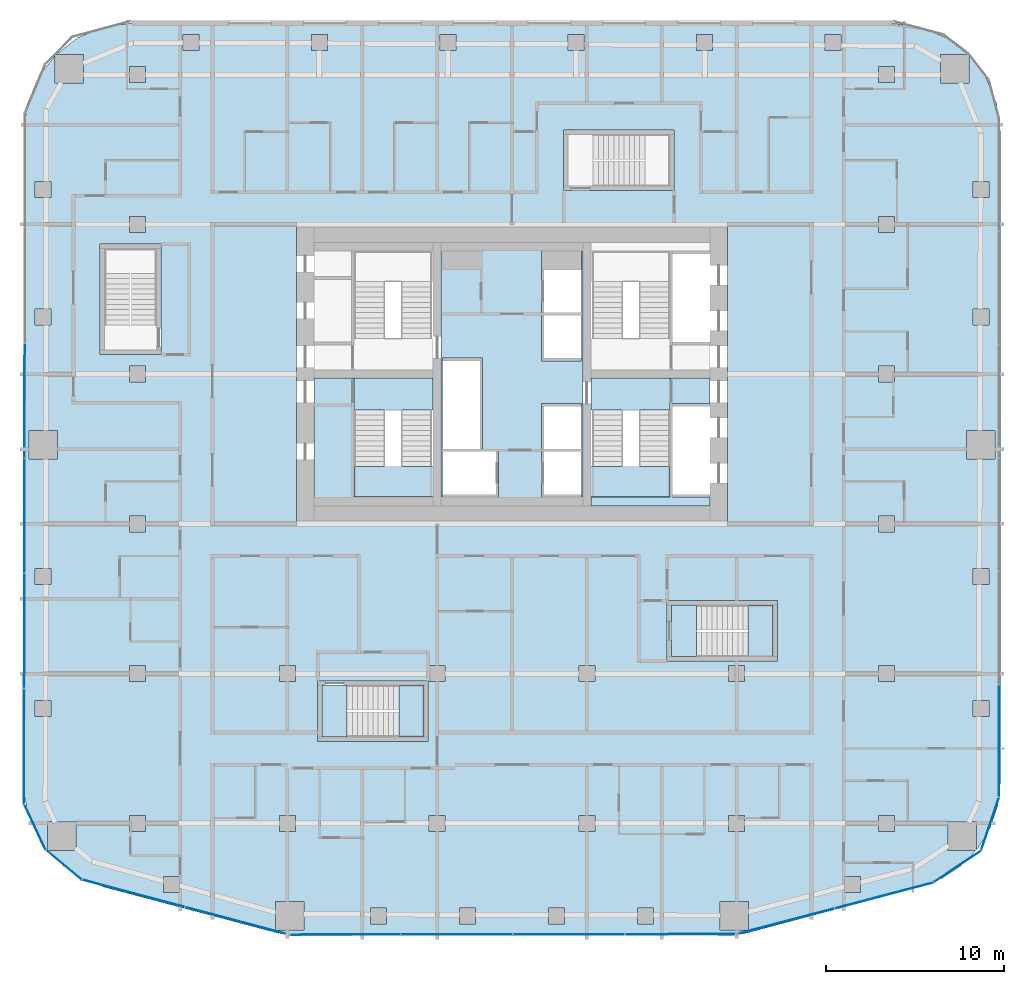
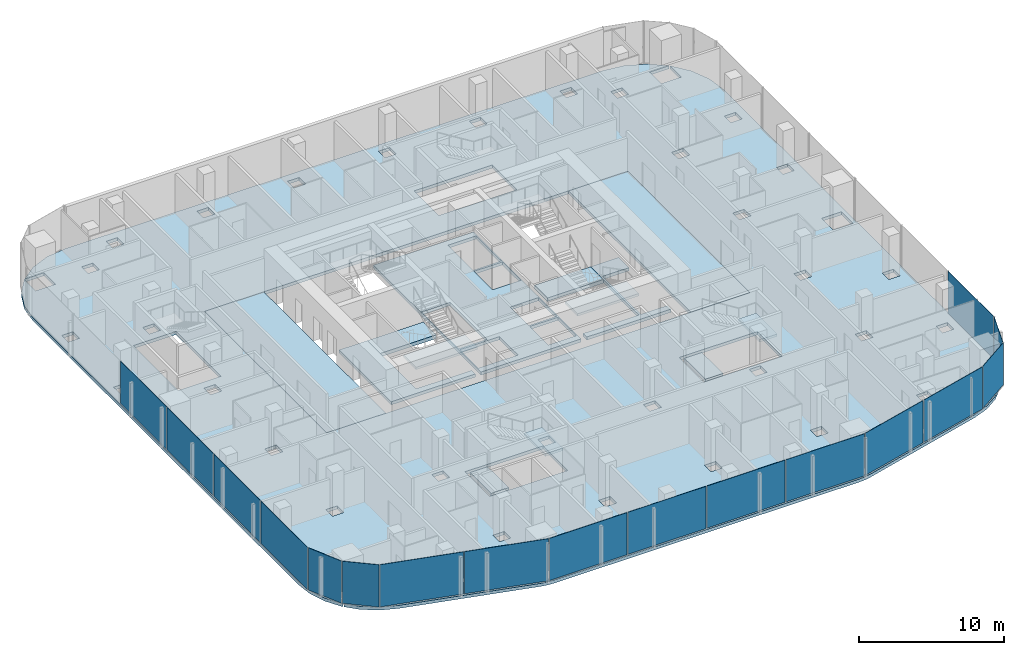
# One storey, part 12 of 23: 17 plates, 14 slabs, 13 elements without a shape of their own.
"""IFC4 building model written with IfcOpenShell, lengths in metres."""

from ifc_helpers import new_model, si_unit, direction, frame, origin, origin_2d, place, context, subcontext, project, spatial, polyline, rectangle, outline, extrude, material, layer, layer_set, type_object, element, aggregate, save


model = new_model("IFC4")

# Units and contexts
model_context = context("Model", 3, precision=1e-05, world=origin(), true_north=direction((0.0, 1.0)))
body_context = subcontext(model_context, "Body", "Model", "MODEL_VIEW")
ifc_project = project(units=[si_unit("LENGTHUNIT", "METRE"), si_unit("AREAUNIT", "SQUARE_METRE"), si_unit("VOLUMEUNIT", "CUBIC_METRE"), si_unit("PLANEANGLEUNIT", "RADIAN"), si_unit("MASSUNIT", "GRAM", prefix="KILO")], contexts=[model_context])

# Site, building, storey
site_placement = place(None, origin())
site = spatial("IfcSite", under=ifc_project, at=site_placement, CompositionType="ELEMENT")
building_placement = place(site_placement, origin())
building = spatial("IfcBuilding", under=site, at=building_placement, Name="Marenta Gate Hotel Tower", CompositionType="ELEMENT")
storey_placement = place(building_placement, frame((0.0, 0.0, 119.300048828125)))
storey = spatial("IfcBuildingStorey", under=building, at=storey_placement, Name="L26", CompositionType="ELEMENT", Elevation=119.300048828125)

# Slabs
ifc_material_1 = material(Name="Concrete C35", Category="concrete")
ifc_layer_1 = layer(ifc_material_1, 0.260009765625)
ifc_layer_set_1 = layer_set([ifc_layer_1], Name="Concrete C35")
slab_type_1 = type_object("IfcSlabType", Name="Concrete floor slab 260", PredefinedType="FLOOR", material=ifc_layer_set_1)
slab_1_placement = place(storey_placement, frame((0.0, 0.0, -0.260009765625)))
element("IfcSlab", 1, at=slab_1_placement, inside=storey, type_object=slab_type_1, Name="L26-SL-1", PredefinedType="FLOOR", context=body_context, shape_type="SweptSolid", body=[
    extrude(outline(polyline([(-25.213623046875, -19.1640625), (-26.011474609375, -18.3330078125), (-24.462890625, -18.3330078125), (-24.462890625, -16.73291015625), (-26.06298828125, -16.73291015625), (-26.06298828125, -18.279296875), (-26.13525390625, -18.2041015625), (-26.826904296875, -17.06689453125), (-27.25537109375, -15.80712890625), (-27.39990234375, -14.48974609375), (-27.39990234375, 22.006591796875), (-27.193115234375, 23.5791015625), (-26.58349609375, 25.050537109375), (-25.635498046875, 26.285888671875), (-25.635498046875, 24.735595703125), (-24.035400390625, 24.735595703125), (-24.035400390625, 26.33544921875), (-25.585693359375, 26.33544921875), (-24.350341796875, 27.283447265625), (-22.87890625, 27.89306640625), (-21.306640625, 28.10009765625), (21.306640625, 28.10009765625), (22.87890625, 27.89306640625), (24.350341796875, 27.283447265625), (25.585693359375, 26.33544921875), (24.035400390625, 26.33544921875), (24.035400390625, 24.735595703125), (25.635498046875, 24.735595703125), (25.635498046875, 26.285888671875), (26.58349609375, 25.050537109375), (27.193115234375, 23.5791015625), (27.39990234375, 22.006591796875), (27.39990234375, -14.48974609375), (27.25537109375, -15.80712890625), (26.826904296875, -17.06689453125), (26.13525390625, -18.2041015625), (26.06298828125, -18.279296875), (26.06298828125, -16.73291015625), (24.462890625, -16.73291015625), (24.462890625, -18.3330078125), (26.011474609375, -18.3330078125), (25.213623046875, -19.1640625), (24.105712890625, -19.9013671875), (22.86962890625, -20.37890625), (13.126708984375, -22.963623046875), (12.608642578125, -23.065673828125), (12.08154296875, -23.10009765625), (-12.08154296875, -23.10009765625), (-12.608642578125, -23.065673828125), (-13.126708984375, -22.963623046875), (-22.86962890625, -20.37890625), (-24.105712890625, -19.9013671875), (-25.213623046875, -19.1640625)]), holes=[polyline([(-16.800048828125, 0.0), (16.800048828125, 0.0), (16.800048828125, 16.800048828125), (-16.800048828125, 16.800048828125), (-16.800048828125, 0.0)]), polyline([(-18.65673828125, -19.7890625), (-19.556884765625, -19.7890625), (-19.556884765625, -20.689208984375), (-18.65673828125, -20.689208984375), (-18.65673828125, -19.7890625)]), polyline([(-20.550048828125, -17.25), (-20.550048828125, -16.35009765625), (-21.449951171875, -16.35009765625), (-21.449951171875, -17.25), (-20.550048828125, -17.25)]), polyline([(-12.14990234375, -16.35009765625), (-13.050048828125, -16.35009765625), (-13.050048828125, -17.25), (-12.14990234375, -17.25), (-12.14990234375, -16.35009765625)]), polyline([(-25.85009765625, -10.802001953125), (-25.85009765625, -9.90185546875), (-26.75, -9.90185546875), (-26.75, -10.802001953125), (-25.85009765625, -10.802001953125)]), polyline([(-20.550048828125, -8.85009765625), (-20.550048828125, -7.949951171875), (-21.449951171875, -7.949951171875), (-21.449951171875, -8.85009765625), (-20.550048828125, -8.85009765625)]), polyline([(-25.85009765625, -2.5009765625), (-26.75, -2.5009765625), (-26.75, -3.40087890625), (-25.85009765625, -3.40087890625), (-25.85009765625, -2.5009765625)]), polyline([(-20.550048828125, -0.449951171875), (-20.550048828125, 0.449951171875), (-21.449951171875, 0.449951171875), (-21.449951171875, -0.449951171875), (-20.550048828125, -0.449951171875)]), polyline([(-25.5, 3.64990234375), (-25.5, 5.25), (-27.10009765625, 5.25), (-27.10009765625, 3.64990234375), (-25.5, 3.64990234375)]), polyline([(-20.550048828125, 8.85009765625), (-21.449951171875, 8.85009765625), (-21.449951171875, 7.949951171875), (-20.550048828125, 7.949951171875), (-20.550048828125, 8.85009765625)]), polyline([(-25.85009765625, 11.1533203125), (-25.85009765625, 12.05322265625), (-26.75, 12.05322265625), (-26.75, 11.1533203125), (-25.85009765625, 11.1533203125)]), polyline([(-20.550048828125, 16.35009765625), (-20.550048828125, 17.25), (-21.449951171875, 17.25), (-21.449951171875, 16.35009765625), (-20.550048828125, 16.35009765625)]), polyline([(-25.85009765625, 19.206298828125), (-26.75, 19.206298828125), (-26.75, 18.306396484375), (-25.85009765625, 18.306396484375), (-25.85009765625, 19.206298828125)]), polyline([(-20.550048828125, 24.75), (-20.550048828125, 25.64990234375), (-21.449951171875, 25.64990234375), (-21.449951171875, 24.75), (-20.550048828125, 24.75)]), polyline([(-17.556884765625, 27.449951171875), (-18.456787109375, 27.449951171875), (-18.456787109375, 26.550048828125), (-17.556884765625, 26.550048828125), (-17.556884765625, 27.449951171875)]), polyline([(-7.030029296875, -22.449951171875), (-7.030029296875, -21.550048828125), (-7.93017578125, -21.550048828125), (-7.93017578125, -22.449951171875), (-7.030029296875, -22.449951171875)]), polyline([(-2.04345703125, -22.449951171875), (-2.04345703125, -21.550048828125), (-2.943359375, -21.550048828125), (-2.943359375, -22.449951171875), (-2.04345703125, -22.449951171875)]), polyline([(2.943359375, -21.550048828125), (2.04345703125, -21.550048828125), (2.04345703125, -22.449951171875), (2.943359375, -22.449951171875), (2.943359375, -21.550048828125)]), polyline([(7.93017578125, -22.449951171875), (7.93017578125, -21.550048828125), (7.030029296875, -21.550048828125), (7.030029296875, -22.449951171875), (7.93017578125, -22.449951171875)]), polyline([(-11.666259765625, -22.77490234375), (-11.666259765625, -21.1748046875), (-13.266357421875, -21.1748046875), (-13.266357421875, -22.77490234375), (-11.666259765625, -22.77490234375)]), polyline([(13.266357421875, -21.1748046875), (11.666259765625, -21.1748046875), (11.666259765625, -22.77490234375), (13.266357421875, -22.77490234375), (13.266357421875, -21.1748046875)]), polyline([(-3.75, -17.25), (-3.75, -16.35009765625), (-4.64990234375, -16.35009765625), (-4.64990234375, -17.25), (-3.75, -17.25)]), polyline([(4.64990234375, -17.25), (4.64990234375, -16.35009765625), (3.75, -16.35009765625), (3.75, -17.25), (4.64990234375, -17.25)]), polyline([(13.050048828125, -16.35009765625), (12.14990234375, -16.35009765625), (12.14990234375, -17.25), (13.050048828125, -17.25), (13.050048828125, -16.35009765625)]), polyline([(-12.14990234375, -8.85009765625), (-12.14990234375, -7.949951171875), (-13.050048828125, -7.949951171875), (-13.050048828125, -8.85009765625), (-12.14990234375, -8.85009765625)]), polyline([(-3.75, -8.85009765625), (-3.75, -7.949951171875), (-4.64990234375, -7.949951171875), (-4.64990234375, -8.85009765625), (-3.75, -8.85009765625)]), polyline([(4.64990234375, -7.949951171875), (3.75, -7.949951171875), (3.75, -8.85009765625), (4.64990234375, -8.85009765625), (4.64990234375, -7.949951171875)]), polyline([(-10.35400390625, 26.550048828125), (-10.35400390625, 27.449951171875), (-11.254150390625, 27.449951171875), (-11.254150390625, 26.550048828125), (-10.35400390625, 26.550048828125)]), polyline([(-3.1513671875, 26.550048828125), (-3.1513671875, 27.449951171875), (-4.051513671875, 27.449951171875), (-4.051513671875, 26.550048828125), (-3.1513671875, 26.550048828125)]), polyline([(4.051513671875, 27.449951171875), (3.1513671875, 27.449951171875), (3.1513671875, 26.550048828125), (4.051513671875, 26.550048828125), (4.051513671875, 27.449951171875)]), polyline([(11.254150390625, 26.550048828125), (11.254150390625, 27.449951171875), (10.35400390625, 27.449951171875), (10.35400390625, 26.550048828125), (11.254150390625, 26.550048828125)]), polyline([(19.556884765625, -20.689208984375), (19.556884765625, -19.7890625), (18.65673828125, -19.7890625), (18.65673828125, -20.689208984375), (19.556884765625, -20.689208984375)]), polyline([(21.449951171875, -17.25), (21.449951171875, -16.35009765625), (20.550048828125, -16.35009765625), (20.550048828125, -17.25), (21.449951171875, -17.25)]), polyline([(26.75, -10.802001953125), (26.75, -9.90185546875), (25.85009765625, -9.90185546875), (25.85009765625, -10.802001953125), (26.75, -10.802001953125)]), polyline([(13.050048828125, -7.949951171875), (12.14990234375, -7.949951171875), (12.14990234375, -8.85009765625), (13.050048828125, -8.85009765625), (13.050048828125, -7.949951171875)]), polyline([(21.449951171875, -8.85009765625), (21.449951171875, -7.949951171875), (20.550048828125, -7.949951171875), (20.550048828125, -8.85009765625), (21.449951171875, -8.85009765625)]), polyline([(26.75, -3.40087890625), (26.75, -2.5009765625), (25.85009765625, -2.5009765625), (25.85009765625, -3.40087890625), (26.75, -3.40087890625)]), polyline([(21.449951171875, 0.449951171875), (20.550048828125, 0.449951171875), (20.550048828125, -0.449951171875), (21.449951171875, -0.449951171875), (21.449951171875, 0.449951171875)]), polyline([(27.10009765625, 3.64990234375), (27.10009765625, 5.25), (25.5, 5.25), (25.5, 3.64990234375), (27.10009765625, 3.64990234375)]), polyline([(21.449951171875, 7.949951171875), (21.449951171875, 8.85009765625), (20.550048828125, 8.85009765625), (20.550048828125, 7.949951171875), (21.449951171875, 7.949951171875)]), polyline([(26.75, 12.05322265625), (25.85009765625, 12.05322265625), (25.85009765625, 11.1533203125), (26.75, 11.1533203125), (26.75, 12.05322265625)]), polyline([(21.449951171875, 16.35009765625), (21.449951171875, 17.25), (20.550048828125, 17.25), (20.550048828125, 16.35009765625), (21.449951171875, 16.35009765625)]), polyline([(26.75, 18.306396484375), (26.75, 19.206298828125), (25.85009765625, 19.206298828125), (25.85009765625, 18.306396484375), (26.75, 18.306396484375)]), polyline([(21.449951171875, 25.64990234375), (20.550048828125, 25.64990234375), (20.550048828125, 24.75), (21.449951171875, 24.75), (21.449951171875, 25.64990234375)]), polyline([(18.456787109375, 26.550048828125), (18.456787109375, 27.449951171875), (17.556884765625, 27.449951171875), (17.556884765625, 26.550048828125), (18.456787109375, 26.550048828125)]), polyline([(-10.89990234375, -12.199951171875), (-4.699951171875, -12.199951171875), (-4.699951171875, -8.800048828125), (-10.89990234375, -8.800048828125), (-10.89990234375, -12.199951171875)]), polyline([(8.699951171875, -7.699951171875), (14.89990234375, -7.699951171875), (14.89990234375, -4.300048828125), (8.699951171875, -4.300048828125), (8.699951171875, -7.699951171875)]), polyline([(-23.10009765625, 9.5), (-19.699951171875, 9.5), (-19.699951171875, 15.699951171875), (-23.10009765625, 15.699951171875), (-23.10009765625, 9.5)]), polyline([(2.89990234375, 18.699951171875), (9.10009765625, 18.699951171875), (9.10009765625, 22.10009765625), (2.89990234375, 22.10009765625), (2.89990234375, 18.699951171875)])]), origin(), (0.0, 0.0, 1.0), 0.260009765625),
])
ifc_material_2 = material(Name="Concrete C40", Category="concrete")
ifc_layer_2 = layer(ifc_material_2, 0.260009765625)
ifc_layer_set_2 = layer_set([ifc_layer_2], Name="Concrete C40")
slab_type_2 = type_object("IfcSlabType", Name="Core floor slab 260", PredefinedType="FLOOR", material=ifc_layer_set_2)
slab_2_placement = place(storey_placement, frame((0.0, 0.0, -0.260009765625)))
element("IfcSlab", 2, at=slab_2_placement, inside=storey, type_object=slab_type_2, Name="L26-CF-1", PredefinedType="FLOOR", context=body_context, shape_type="SweptSolid", body=[
    extrude(outline(polyline([(12.10009765625, 0.0), (12.10009765625, 16.800048828125), (16.800048828125, 16.800048828125), (16.800048828125, 0.0), (12.10009765625, 0.0)])), origin(), (0.0, 0.0, 1.0), 0.260009765625),
])
slab_3_placement = place(storey_placement, frame((0.0, 0.0, -0.260009765625)))
element("IfcSlab", 3, at=slab_3_placement, inside=storey, type_object=slab_type_2, Name="L26-CF-2", PredefinedType="FLOOR", context=body_context, shape_type="SweptSolid", body=[
    extrude(outline(polyline([(8.85009765625, 1.5), (8.85009765625, 6.39990234375), (8.85009765625, 8.10009765625), (8.85009765625, 8.175048828125), (11.10009765625, 8.175048828125), (11.10009765625, 6.75), (9.0, 6.75), (9.0, 6.60009765625), (9.0, 4.199951171875), (9.0, 4.050048828125), (9.0, 1.64990234375), (9.0, 1.5), (11.10009765625, 1.5), (11.10009765625, 1.0), (4.425048828125, 1.0), (4.425048828125, 1.5), (8.85009765625, 1.5)])), origin(), (0.0, 0.0, 1.0), 0.260009765625),
])
slab_4_placement = place(storey_placement, frame((0.0, 0.0, -0.260009765625)))
element("IfcSlab", 4, at=slab_4_placement, inside=storey, type_object=slab_type_2, Name="L26-CF-4", PredefinedType="FLOOR", context=body_context, shape_type="SweptSolid", body=[
    extrude(outline(polyline([(3.97509765625, 15.300048828125), (3.97509765625, 10.39990234375), (3.97509765625, 6.39990234375), (3.97509765625, 1.5), (3.97509765625, 1.0), (-3.97509765625, 1.0), (-3.97509765625, 1.5), (-3.97509765625, 6.39990234375), (-3.97509765625, 10.39990234375), (-3.97509765625, 15.300048828125), (-3.97509765625, 15.800048828125), (3.97509765625, 15.800048828125), (3.97509765625, 15.300048828125)]), holes=[polyline([(1.64990234375, 1.5), (3.89990234375, 1.5), (3.89990234375, 1.64990234375), (3.89990234375, 4.050048828125), (1.800048828125, 4.050048828125), (1.64990234375, 4.050048828125), (1.64990234375, 1.64990234375), (1.64990234375, 1.5)]), polyline([(1.64990234375, 6.60009765625), (1.64990234375, 4.199951171875), (1.800048828125, 4.199951171875), (3.89990234375, 4.199951171875), (3.89990234375, 6.60009765625), (3.89990234375, 6.75), (1.64990234375, 6.75), (1.64990234375, 6.60009765625)]), polyline([(1.64990234375, 9.14990234375), (3.89990234375, 9.14990234375), (3.89990234375, 9.300048828125), (3.89990234375, 11.699951171875), (1.800048828125, 11.699951171875), (1.64990234375, 11.699951171875), (1.64990234375, 9.300048828125), (1.64990234375, 9.14990234375)]), polyline([(1.64990234375, 15.300048828125), (1.64990234375, 14.25), (1.64990234375, 11.85009765625), (1.800048828125, 11.85009765625), (3.89990234375, 11.85009765625), (3.89990234375, 14.25), (3.89990234375, 15.300048828125), (1.64990234375, 15.300048828125)]), polyline([(-3.89990234375, 4.050048828125), (-3.89990234375, 1.64990234375), (-3.89990234375, 1.5), (-0.89990234375, 1.5), (-0.75, 1.5), (-0.75, 4.050048828125), (-0.89990234375, 4.050048828125), (-3.89990234375, 4.050048828125)]), polyline([(-1.800048828125, 4.199951171875), (-1.64990234375, 4.199951171875), (-1.64990234375, 9.14990234375), (-1.64990234375, 9.300048828125), (-3.89990234375, 9.300048828125), (-3.89990234375, 9.14990234375), (-3.89990234375, 6.75), (-3.89990234375, 6.60009765625), (-3.89990234375, 4.199951171875), (-1.800048828125, 4.199951171875)])]), origin(), (0.0, 0.0, 1.0), 0.260009765625),
])
slab_5_placement = place(storey_placement, frame((0.0, 0.0, -0.260009765625)))
element("IfcSlab", 5, at=slab_5_placement, inside=storey, type_object=slab_type_2, Name="L26-CF-5", PredefinedType="FLOOR", context=body_context, shape_type="SweptSolid", body=[
    extrude(outline(polyline([(-8.85009765625, 8.175048828125), (-8.85009765625, 8.10009765625), (-8.85009765625, 6.39990234375), (-8.85009765625, 1.5), (-4.425048828125, 1.5), (-4.425048828125, 1.0), (-11.10009765625, 1.0), (-11.10009765625, 8.175048828125), (-8.85009765625, 8.175048828125)])), origin(), (0.0, 0.0, 1.0), 0.260009765625),
])
slab_6_placement = place(storey_placement, frame((0.0, 0.0, -0.260009765625)))
element("IfcSlab", 6, at=slab_6_placement, inside=storey, type_object=slab_type_2, Name="L26-CF-7", PredefinedType="FLOOR", context=body_context, shape_type="SweptSolid", body=[
    extrude(outline(polyline([(-12.10009765625, 16.800048828125), (-12.10009765625, 0.0), (-16.800048828125, 0.0), (-16.800048828125, 16.800048828125), (-12.10009765625, 16.800048828125)])), origin(), (0.0, 0.0, 1.0), 0.260009765625),
])

# Stair, slab
ifc_material_3 = material(Name="Concrete C40", Category="concrete")
stair_type_1 = type_object("IfcStairType", Name="Core exit stair 1700 wide", PredefinedType="HALF_TURN_STAIR", material=ifc_material_3)
stair_1_placement = place(storey_placement, origin())
stair_1 = element("IfcStair", 7, at=stair_1_placement, inside=storey, type_object=stair_type_1, Name="Exit stair 1", PredefinedType="HALF_TURN_STAIR")
ifc_material_4 = material(Name="Concrete C40", Category="concrete")
ifc_layer_3 = layer(ifc_material_4, 0.199951171875)
ifc_layer_set_3 = layer_set([ifc_layer_3], Name="Concrete C40")
slab_type_3 = type_object("IfcSlabType", Name="Core stair landing 200", PredefinedType="LANDING", material=ifc_layer_set_3)
slab_7_placement = place(storey_placement, frame((0.0, 0.0, 1.599853515625)))
slab_7 = element("IfcSlab", 8, at=slab_7_placement, type_object=slab_type_3, Name="SL-200 ST1 landing 1", PredefinedType="LANDING", context=body_context, shape_type="SweptSolid", body=[
    extrude(outline(polyline([(-8.85009765625, 1.5), (-3.97509765625, 1.5), (-3.97509765625, 3.2099609375), (-8.85009765625, 3.2099609375), (-8.85009765625, 1.5)])), origin(), (0.0, 0.0, 1.0), 0.2001953125),
])
aggregate(stair_1, [slab_7])

stair_2_placement = place(storey_placement, origin())
stair_2 = element("IfcStair", 9, at=stair_2_placement, inside=storey, type_object=stair_type_1, Name="Exit stair 3", PredefinedType="HALF_TURN_STAIR")
slab_8_placement = place(storey_placement, frame((0.0, 0.0, 1.599853515625)))
slab_8 = element("IfcSlab", 10, at=slab_8_placement, type_object=slab_type_3, Name="SL-200 ST3 landing 1", PredefinedType="LANDING", context=body_context, shape_type="SweptSolid", body=[
    extrude(outline(polyline([(3.97509765625, 1.5), (8.85009765625, 1.5), (8.85009765625, 3.2099609375), (3.97509765625, 3.2099609375), (3.97509765625, 1.5)])), origin(), (0.0, 0.0, 1.0), 0.2001953125),
])
aggregate(stair_2, [slab_8])

# Curtain wall, plates
ifc_material_5 = material(Name="Tinted insulated glass in bronze anodised frame", Category="glass")
ifc_layer_4 = layer(ifc_material_5, 0.1201171875)
ifc_layer_set_4 = layer_set([ifc_layer_4], Name="Tinted insulated glass in bronze anodised frame")
curtain_wall_type = type_object("IfcCurtainWallType", Name="Tower unitised curtain wall CW1", PredefinedType="NOTDEFINED", material=ifc_layer_set_4)
curtain_wall_1_placement = place(storey_placement, origin())
curtain_wall_1 = element("IfcCurtainWall", 11, at=curtain_wall_1_placement, inside=storey, type_object=curtain_wall_type, Name="CW1 run G03", PredefinedType="NOTDEFINED")
ifc_material_6 = material(Name="Tinted insulated glass", Category="glass")
ifc_layer_5 = layer(ifc_material_6, 0.028076171875)
ifc_layer_set_5 = layer_set([ifc_layer_5], Name="Tinted insulated glass")
plate_type = type_object("IfcPlateType", Name="Glass panel CW1 28 mm tinted insulated unit", PredefinedType="CURTAIN_PANEL", material=ifc_layer_set_5)
plate_1_placement = place(storey_placement, frame((-27.337646484375, 6.916259765625, 0.059814453125), z_axis=(0.0, 0.0, 1.0), x_axis=(-0.001566045546, -0.99999877375, 0.0)))
plate_1 = element("IfcPlate", 12, at=plate_1_placement, type_object=plate_type, Name="CW1 panel 3.1", PredefinedType="CURTAIN_PANEL", context=body_context, shape_type="SweptSolid", body=[
    extrude(rectangle(XDim=6.39990234375, YDim=0.028076171875, at=origin_2d()), origin(), (0.0, 0.0, 1.0), 3.5400390625),
])
plate_2_placement = place(storey_placement, frame((-27.34765625, 0.456298828125, 0.059814453125), z_axis=(0.0, 0.0, 1.0), x_axis=(-0.001566045546, -0.99999877375, 0.0)))
plate_2 = element("IfcPlate", 13, at=plate_2_placement, type_object=plate_type, Name="CW1 panel 4.1", PredefinedType="CURTAIN_PANEL", context=body_context, shape_type="SweptSolid", body=[
    extrude(rectangle(XDim=6.39990234375, YDim=0.028076171875, at=origin_2d()), origin(), (0.0, 0.0, 1.0), 3.5400390625),
])
plate_3_placement = place(storey_placement, frame((-27.35791015625, -6.00390625, 0.059814453125), z_axis=(0.0, 0.0, 1.0), x_axis=(-0.001566045546, -0.99999877375, 0.0)))
plate_3 = element("IfcPlate", 14, at=plate_3_placement, type_object=plate_type, Name="CW1 panel 5.1", PredefinedType="CURTAIN_PANEL", context=body_context, shape_type="SweptSolid", body=[
    extrude(rectangle(XDim=6.39990234375, YDim=0.028076171875, at=origin_2d()), origin(), (0.0, 0.0, 1.0), 3.5400390625),
])
plate_4_placement = place(storey_placement, frame((-27.367919921875, -12.478759765625, 0.059814453125), z_axis=(0.0, 0.0, 1.0), x_axis=(-0.001566045546, -0.99999877375, 0.0)))
plate_4 = element("IfcPlate", 15, at=plate_4_placement, type_object=plate_type, Name="CW1 panel 6.1", PredefinedType="CURTAIN_PANEL", context=body_context, shape_type="SweptSolid", body=[
    extrude(rectangle(XDim=6.429931640625, YDim=0.028076171875, at=origin_2d()), origin(), (0.0, 0.0, 1.0), 3.5400390625),
])
aggregate(curtain_wall_1, [plate_1, plate_2, plate_3, plate_4])

# Curtain wall, plate
curtain_wall_2_placement = place(storey_placement, origin())
curtain_wall_2 = element("IfcCurtainWall", 16, at=curtain_wall_2_placement, inside=storey, type_object=curtain_wall_type, Name="CW1 run G04", PredefinedType="NOTDEFINED")
plate_5_placement = place(storey_placement, frame((-26.76123046875, -17.0029296875, 0.059814453125), z_axis=(0.0, 0.0, 1.0), x_axis=(0.423338088163, -0.905971778319, 0.0)))
plate_5 = element("IfcPlate", 17, at=plate_5_placement, type_object=plate_type, Name="CW1 panel 1.1", PredefinedType="CURTAIN_PANEL", context=body_context, shape_type="SweptSolid", body=[
    extrude(rectangle(XDim=2.77001953125, YDim=0.028076171875, at=origin_2d()), origin(), (0.0, 0.0, 1.0), 3.5400390625),
])
aggregate(curtain_wall_2, [plate_5])

curtain_wall_3_placement = place(storey_placement, origin())
curtain_wall_3 = element("IfcCurtainWall", 18, at=curtain_wall_3_placement, inside=storey, type_object=curtain_wall_type, Name="CW1 run G05", PredefinedType="NOTDEFINED")
plate_6_placement = place(storey_placement, frame((-25.14111328125, -19.1220703125, 0.059814453125), z_axis=(0.0, 0.0, 1.0), x_axis=(0.767112858807, -0.641512168126, 0.0)))
plate_6 = element("IfcPlate", 19, at=plate_6_placement, type_object=plate_type, Name="CW1 panel 1.1", PredefinedType="CURTAIN_PANEL", context=body_context, shape_type="SweptSolid", body=[
    extrude(rectangle(XDim=2.5751953125, YDim=0.028076171875, at=origin_2d()), origin(), (0.0, 0.0, 1.0), 3.5400390625),
])
aggregate(curtain_wall_3, [plate_6])

# Curtain wall, plates
curtain_wall_4_placement = place(storey_placement, origin())
curtain_wall_4 = element("IfcCurtainWall", 20, at=curtain_wall_4_placement, inside=storey, type_object=curtain_wall_type, Name="CW1 run G06", PredefinedType="NOTDEFINED")
plate_7_placement = place(storey_placement, frame((-21.22705078125, -20.726806640625, 0.059814453125), z_axis=(0.0, 0.0, 1.0), x_axis=(0.966373195468, -0.257143631229, 0.0)))
plate_7 = element("IfcPlate", 21, at=plate_7_placement, type_object=plate_type, Name="CW1 panel 1.1", PredefinedType="CURTAIN_PANEL", context=body_context, shape_type="SweptSolid", body=[
    extrude(rectangle(XDim=5.936279296875, YDim=0.028076171875, at=origin_2d()), origin(), (0.0, 0.0, 1.0), 3.5400390625),
])
plate_8_placement = place(storey_placement, frame((-15.4033203125, -22.276611328125, 0.059814453125), z_axis=(0.0, 0.0, 1.0), x_axis=(0.966373195468, -0.257143631229, 0.0)))
plate_8 = element("IfcPlate", 22, at=plate_8_placement, type_object=plate_type, Name="CW1 panel 2.1", PredefinedType="CURTAIN_PANEL", context=body_context, shape_type="SweptSolid", body=[
    extrude(rectangle(XDim=5.996337890625, YDim=0.028076171875, at=origin_2d()), origin(), (0.0, 0.0, 1.0), 3.5400390625),
])
aggregate(curtain_wall_4, [plate_7, plate_8])

curtain_wall_5_placement = place(storey_placement, origin())
curtain_wall_5 = element("IfcCurtainWall", 23, at=curtain_wall_5_placement, inside=storey, type_object=curtain_wall_type, Name="CW1 run G07", PredefinedType="NOTDEFINED")
plate_9_placement = place(storey_placement, frame((-9.35302734375, -23.043212890625, 0.059814453125), z_axis=(0.0, 0.0, 1.0), x_axis=(0.999999072004, 0.001362347707, 0.0)))
plate_9 = element("IfcPlate", 24, at=plate_9_placement, type_object=plate_type, Name="CW1 panel 1.1", PredefinedType="CURTAIN_PANEL", context=body_context, shape_type="SweptSolid", body=[
    extrude(rectangle(XDim=6.18603515625, YDim=0.028076171875, at=origin_2d()), origin(), (0.0, 0.0, 1.0), 3.5400390625),
])
plate_10_placement = place(storey_placement, frame((-3.092041015625, -23.03466796875, 0.059814453125), z_axis=(0.0, 0.0, 1.0), x_axis=(0.999999072004, 0.001362347707, 0.0)))
plate_10 = element("IfcPlate", 25, at=plate_10_placement, type_object=plate_type, Name="CW1 panel 2.1", PredefinedType="CURTAIN_PANEL", context=body_context, shape_type="SweptSolid", body=[
    extrude(rectangle(XDim=6.2158203125, YDim=0.028076171875, at=origin_2d()), origin(), (0.0, 0.0, 1.0), 3.5400390625),
])
plate_11_placement = place(storey_placement, frame((3.183837890625, -23.026123046875, 0.059814453125), z_axis=(0.0, 0.0, 1.0), x_axis=(0.999999072004, 0.001362347707, 0.0)))
plate_11 = element("IfcPlate", 26, at=plate_11_placement, type_object=plate_type, Name="CW1 panel 3.1", PredefinedType="CURTAIN_PANEL", context=body_context, shape_type="SweptSolid", body=[
    extrude(rectangle(XDim=6.2158203125, YDim=0.028076171875, at=origin_2d()), origin(), (0.0, 0.0, 1.0), 3.5400390625),
])
plate_12_placement = place(storey_placement, frame((9.474853515625, -23.017578125, 0.059814453125), z_axis=(0.0, 0.0, 1.0), x_axis=(0.999999072004, 0.001362347707, 0.0)))
plate_12 = element("IfcPlate", 27, at=plate_12_placement, type_object=plate_type, Name="CW1 panel 4.1", PredefinedType="CURTAIN_PANEL", context=body_context, shape_type="SweptSolid", body=[
    extrude(rectangle(XDim=6.245849609375, YDim=0.028076171875, at=origin_2d()), origin(), (0.0, 0.0, 1.0), 3.5400390625),
])
aggregate(curtain_wall_5, [plate_9, plate_10, plate_11, plate_12])

curtain_wall_6_placement = place(storey_placement, origin())
curtain_wall_6 = element("IfcCurtainWall", 28, at=curtain_wall_6_placement, inside=storey, type_object=curtain_wall_type, Name="CW1 run G08", PredefinedType="NOTDEFINED")
plate_13_placement = place(storey_placement, frame((15.36474609375, -22.28857421875, 0.059814453125), z_axis=(0.0, 0.0, 1.0), x_axis=(0.967368326473, 0.253374270473, 0.0)))
plate_13 = element("IfcPlate", 29, at=plate_13_placement, type_object=plate_type, Name="CW1 panel 1.1", PredefinedType="CURTAIN_PANEL", context=body_context, shape_type="SweptSolid", body=[
    extrude(rectangle(XDim=5.6005859375, YDim=0.028076171875, at=origin_2d()), origin(), (0.0, 0.0, 1.0), 3.5400390625),
])
plate_14_placement = place(storey_placement, frame((20.86962890625, -20.8466796875, 0.059814453125), z_axis=(0.0, 0.0, 1.0), x_axis=(0.967368326473, 0.253374270473, 0.0)))
plate_14 = element("IfcPlate", 30, at=plate_14_placement, type_object=plate_type, Name="CW1 panel 2.1", PredefinedType="CURTAIN_PANEL", context=body_context, shape_type="SweptSolid", body=[
    extrude(rectangle(XDim=5.66064453125, YDim=0.028076171875, at=origin_2d()), origin(), (0.0, 0.0, 1.0), 3.5400390625),
])
aggregate(curtain_wall_6, [plate_13, plate_14])

# Curtain wall, plate
curtain_wall_7_placement = place(storey_placement, origin())
curtain_wall_7 = element("IfcCurtainWall", 31, at=curtain_wall_7_placement, inside=storey, type_object=curtain_wall_type, Name="CW1 run G09", PredefinedType="NOTDEFINED")
plate_15_placement = place(storey_placement, frame((24.981201171875, -19.215576171875, 0.059814453125), z_axis=(0.0, 0.0, 1.0), x_axis=(0.832505857051, 0.554016243423, 0.0)))
plate_15 = element("IfcPlate", 32, at=plate_15_placement, type_object=plate_type, Name="CW1 panel 1.1", PredefinedType="CURTAIN_PANEL", context=body_context, shape_type="SweptSolid", body=[
    extrude(rectangle(XDim=3.179931640625, YDim=0.028076171875, at=origin_2d()), origin(), (0.0, 0.0, 1.0), 3.5400390625),
])
aggregate(curtain_wall_7, [plate_15])

curtain_wall_8_placement = place(storey_placement, origin())
curtain_wall_8 = element("IfcCurtainWall", 33, at=curtain_wall_8_placement, inside=storey, type_object=curtain_wall_type, Name="CW1 run G10", PredefinedType="NOTDEFINED")
plate_16_placement = place(storey_placement, frame((26.819091796875, -16.822998046875, 0.059814453125), z_axis=(0.0, 0.0, 1.0), x_axis=(0.322033173773, 0.946728385013, 0.0)))
plate_16 = element("IfcPlate", 34, at=plate_16_placement, type_object=plate_type, Name="CW1 panel 1.1", PredefinedType="CURTAIN_PANEL", context=body_context, shape_type="SweptSolid", body=[
    extrude(rectangle(XDim=3.073486328125, YDim=0.028076171875, at=origin_2d()), origin(), (0.0, 0.0, 1.0), 3.5400390625),
])
aggregate(curtain_wall_8, [plate_16])

curtain_wall_9_placement = place(storey_placement, origin())
curtain_wall_9 = element("IfcCurtainWall", 35, at=curtain_wall_9_placement, inside=storey, type_object=curtain_wall_type, Name="CW1 run G11", PredefinedType="NOTDEFINED")
plate_17_placement = place(storey_placement, frame((27.31396484375, -12.173095703125, 0.059814453125), z_axis=(0.0, 0.0, 1.0), x_axis=(0.0, 1.0, 0.0)))
plate_17 = element("IfcPlate", 36, at=plate_17_placement, type_object=plate_type, Name="CW1 panel 1.1", PredefinedType="CURTAIN_PANEL", context=body_context, shape_type="SweptSolid", body=[
    extrude(rectangle(XDim=6.27001953125, YDim=0.028076171875, at=origin_2d()), origin(), (0.0, 0.0, 1.0), 3.5400390625),
])
aggregate(curtain_wall_9, [plate_17])

# Stair, slab
ifc_material_7 = material(Name="Concrete C40", Category="concrete")
stair_type_2 = type_object("IfcStairType", Name="Remote exit stair 1400 wide", PredefinedType="HALF_TURN_STAIR", material=ifc_material_7)
stair_3_placement = place(storey_placement, origin())
stair_3 = element("IfcStair", 37, at=stair_3_placement, inside=storey, type_object=stair_type_2, Name="Exit stair RS-Z2-1", PredefinedType="HALF_TURN_STAIR")
ifc_material_8 = material(Name="Concrete C40", Category="concrete")
ifc_layer_6 = layer(ifc_material_8, 0.199951171875)
ifc_layer_set_6 = layer_set([ifc_layer_6], Name="Concrete C40")
slab_type_4 = type_object("IfcSlabType", Name="Remote stair landing 200", PredefinedType="LANDING", material=ifc_layer_set_6)
slab_9_placement = place(storey_placement, frame((0.0, 0.0, 1.599853515625)))
slab_9 = element("IfcSlab", 38, at=slab_9_placement, type_object=slab_type_4, Name="RL-200 RS-Z2-1 landing 1", PredefinedType="LANDING", context=body_context, shape_type="SweptSolid", body=[
    extrude(outline(polyline([(-6.35009765625, -11.949951171875), (-4.949951171875, -11.949951171875), (-4.949951171875, -9.050048828125), (-6.35009765625, -9.050048828125), (-6.35009765625, -11.949951171875)])), origin(), (0.0, 0.0, 1.0), 0.2001953125),
])
aggregate(stair_3, [slab_9])

stair_4_placement = place(storey_placement, origin())
stair_4 = element("IfcStair", 39, at=stair_4_placement, inside=storey, type_object=stair_type_2, Name="Exit stair RS-Z2-2", PredefinedType="HALF_TURN_STAIR")
slab_10_placement = place(storey_placement, frame((0.0, 0.0, 1.599853515625)))
slab_10 = element("IfcSlab", 40, at=slab_10_placement, type_object=slab_type_4, Name="RL-200 RS-Z2-2 landing 1", PredefinedType="LANDING", context=body_context, shape_type="SweptSolid", body=[
    extrude(outline(polyline([(13.25, -7.449951171875), (14.64990234375, -7.449951171875), (14.64990234375, -4.550048828125), (13.25, -4.550048828125), (13.25, -7.449951171875)])), origin(), (0.0, 0.0, 1.0), 0.2001953125),
])
aggregate(stair_4, [slab_10])

# Slabs
ifc_material_9 = material(Name="Concrete C40", Category="concrete")
ifc_layer_7 = layer(ifc_material_9, 0.300048828125)
ifc_layer_set_7 = layer_set([ifc_layer_7], Name="Concrete C40")
slab_type_5 = type_object("IfcSlabType", Name="Stair floor landing slab 300", PredefinedType="FLOOR", material=ifc_layer_set_7)
slab_11_placement = place(storey_placement, frame((0.0, 0.0, -0.300048828125)))
element("IfcSlab", 41, at=slab_11_placement, inside=storey, type_object=slab_type_5, Name="L26-CL-ST1-1", PredefinedType="FLOOR", context=body_context, shape_type="SweptSolid", body=[
    extrude(outline(polyline([(-4.425048828125, 6.39990234375), (-8.85009765625, 6.39990234375), (-8.85009765625, 8.10009765625), (-8.85009765625, 8.175048828125), (-4.425048828125, 8.175048828125), (-4.425048828125, 6.39990234375)])), origin(), (0.0, 0.0, 1.0), 0.300048828125),
])
slab_12_placement = place(storey_placement, frame((0.0, 0.0, -0.300048828125)))
element("IfcSlab", 42, at=slab_12_placement, inside=storey, type_object=slab_type_5, Name="L26-CL-ST3-1", PredefinedType="FLOOR", context=body_context, shape_type="SweptSolid", body=[
    extrude(outline(polyline([(4.425048828125, 6.39990234375), (4.425048828125, 8.175048828125), (8.85009765625, 8.175048828125), (8.85009765625, 8.10009765625), (8.85009765625, 6.39990234375), (4.425048828125, 6.39990234375)])), origin(), (0.0, 0.0, 1.0), 0.300048828125),
])
slab_13_placement = place(storey_placement, frame((0.0, 0.0, -0.300048828125)))
element("IfcSlab", 43, at=slab_13_placement, inside=storey, type_object=slab_type_5, Name="L26-RS-Z2-1-CL", PredefinedType="FLOOR", context=body_context, shape_type="SweptSolid", body=[
    extrude(outline(polyline([(-9.25, -11.949951171875), (-9.25, -9.050048828125), (-10.64990234375, -9.050048828125), (-10.64990234375, -11.949951171875), (-9.25, -11.949951171875)])), origin(), (0.0, 0.0, 1.0), 0.300048828125),
])
slab_14_placement = place(storey_placement, frame((0.0, 0.0, -0.300048828125)))
element("IfcSlab", 44, at=slab_14_placement, inside=storey, type_object=slab_type_5, Name="L26-RS-Z2-2-CL", PredefinedType="FLOOR", context=body_context, shape_type="SweptSolid", body=[
    extrude(outline(polyline([(10.35009765625, -7.449951171875), (10.35009765625, -4.550048828125), (8.949951171875, -4.550048828125), (8.949951171875, -7.449951171875), (10.35009765625, -7.449951171875)])), origin(), (0.0, 0.0, 1.0), 0.300048828125),
])

save(model, "model.ifc")
